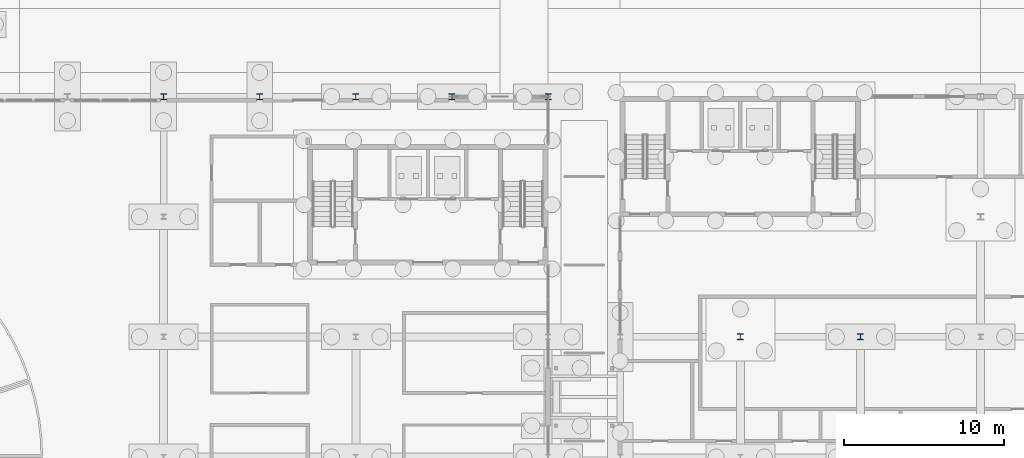
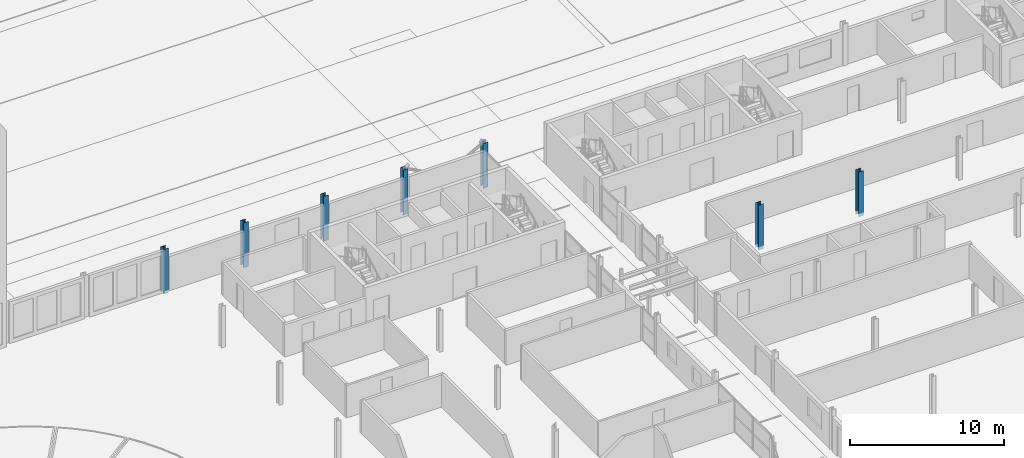
# One storey, part 20 of 130: 7 columns.
"""IFC4 building model written with IfcOpenShell, lengths in metres."""

import ifcopenshell
import ifcopenshell.guid

model = None  # the IFC model being written
_history = None  # IfcOwnerHistory: only IFC2X3 demands one
_inside = {}  # id of a spatial element -> (the spatial element, [elements in it])
_under = {}  # id of a project, library or spatial element -> (it, [spatial elements below it])
_declared = {}  # id of a project -> (the project, [libraries it declares])
_typed = {}  # id of a type object -> (the type object, [elements of that type])
_made_of = {}  # id of a material, layer set ... -> (it, [elements and type objects made of it])


def new_model(schema):
    """Start an empty IFC model of exactly this schema.

    Asked for "IFC4X3", IfcOpenShell would pick the latest addendum, in which some entities
    have other attributes; the version numbers below select the first issue.
    IFC2X3 requires an IfcOwnerHistory on every rooted entity: one is made here for all.
    """
    global model, _history
    if schema == "IFC4X3":
        model = ifcopenshell.file(schema_version=(4, 3, 0, 0))
    else:
        model = ifcopenshell.file(schema=schema)
    _inside.clear()
    _under.clear()
    _declared.clear()
    _typed.clear()
    _made_of.clear()
    _history = None
    if model.schema == "IFC2X3":
        org = make("IfcOrganization", Name="unknown")
        user = make(
            "IfcPersonAndOrganization",
            ThePerson=make("IfcPerson", FamilyName="unknown"),
            TheOrganization=org,
        )
        app = make(
            "IfcApplication",
            ApplicationDeveloper=org,
            Version="unknown",
            ApplicationFullName="unknown",
            ApplicationIdentifier="unknown",
        )
        _history = make(
            "IfcOwnerHistory",
            OwningUser=user,
            OwningApplication=app,
            ChangeAction="ADDED",
            CreationDate=0,
        )
    return model


def make(cls, **values):
    """One entity of the class cls with the attributes given. An attribute that is None is left unset."""
    return model.create_entity(
        cls, **{name: value for name, value in values.items() if value is not None}
    )


def rooted(cls, **values):
    """An entity with a GlobalId (a new one), such as an element, a storey or a relation."""
    return make(cls, GlobalId=ifcopenshell.guid.new(), OwnerHistory=_history, **values)


def si_unit(unit_type, name, prefix=None):
    """IfcSIUnit, for example si_unit("LENGTHUNIT", "METRE", prefix="MILLI")."""
    return make("IfcSIUnit", UnitType=unit_type, Prefix=prefix, Name=name)


def assignment(units):
    """IfcUnitAssignment: the units of a project."""
    return None if units is None else make("IfcUnitAssignment", Units=units)


def point(xyz):
    """IfcCartesianPoint."""
    return None if xyz is None else make("IfcCartesianPoint", Coordinates=xyz)


def direction(xyz):
    """IfcDirection."""
    return None if xyz is None else make("IfcDirection", DirectionRatios=xyz)


def frame(location, z_axis=None, x_axis=None):
    """IfcAxis2Placement3D, a coordinate frame: its origin and axes. An axis left out is left unset."""
    return make(
        "IfcAxis2Placement3D",
        Location=point(location),
        Axis=direction(z_axis),
        RefDirection=direction(x_axis),
    )


def frame_2d(location, x_axis=None):
    """IfcAxis2Placement2D, a coordinate frame in the plane: its origin and x axis."""
    return make(
        "IfcAxis2Placement2D", Location=point(location), RefDirection=direction(x_axis)
    )


def origin():
    """The frame at (0, 0, 0) with its axes left unset."""
    return frame((0.0, 0.0, 0.0))


def origin_2d():
    """The frame at (0, 0) in the plane with its x axis left unset."""
    return frame_2d((0.0, 0.0))


def place(relative_to, where):
    """IfcLocalPlacement: puts the frame where relative to a parent placement (None: the world)."""
    return make(
        "IfcLocalPlacement", PlacementRelTo=relative_to, RelativePlacement=where
    )


def context(
    kind, dimensions, precision=None, world=None, true_north=None, identifier=None
):
    """IfcGeometricRepresentationContext, for example the 3D "Model" context."""
    return make(
        "IfcGeometricRepresentationContext",
        ContextIdentifier=identifier,
        ContextType=kind,
        CoordinateSpaceDimension=dimensions,
        Precision=precision,
        WorldCoordinateSystem=world,
        TrueNorth=true_north,
    )


def subcontext(parent, identifier, kind, view, scale=None):
    """IfcGeometricRepresentationSubContext, for example "Body" below "Model"."""
    return make(
        "IfcGeometricRepresentationSubContext",
        ContextIdentifier=identifier,
        ContextType=kind,
        ParentContext=parent,
        TargetScale=scale,
        TargetView=view,
    )


def project(units=None, contexts=None):
    """IfcProject with its units and contexts."""
    return rooted(
        "IfcProject",
        Name="project",
        RepresentationContexts=contexts,
        UnitsInContext=assignment(units),
    )


def spatial(cls, under=None, at=None, **own):
    """A site, building, storey or space (cls), placed at a placement, below another one or the project."""
    s = rooted(cls, ObjectPlacement=at, **own)
    if under is not None:
        _under.setdefault(under.id(), (under, []))[1].append(s)
    return s


def profile(cls, at=None, kind="AREA", **sizes):
    """A parametric profile (cls). Its sizes go by their IFC names, for example OverallWidth=200.0."""
    return make(cls, ProfileType=kind, Position=at, **sizes)


def i_section(**sizes):
    """IfcIShapeProfileDef."""
    return profile("IfcIShapeProfileDef", **sizes)


def extrude(swept, where, along, depth):
    """IfcExtrudedAreaSolid: the profile swept, set in the frame where, extruded along a direction by depth."""
    return make(
        "IfcExtrudedAreaSolid",
        SweptArea=swept,
        Position=where,
        ExtrudedDirection=direction(along),
        Depth=depth,
    )


def shape(context_of_items, identifier, shape_type, items):
    """IfcShapeRepresentation: the items that make up one representation, for example the "Body"."""
    return make(
        "IfcShapeRepresentation",
        ContextOfItems=context_of_items,
        RepresentationIdentifier=identifier,
        RepresentationType=shape_type,
        Items=items,
    )


def material(Name=None, Category=None):
    """IfcMaterial."""
    return make("IfcMaterial", Name=Name, Category=Category)


def material_profile(
    of_material, cross_section, Name=None, Category=None, Priority=None
):
    """IfcMaterialProfile: a cross section and its material."""
    return make(
        "IfcMaterialProfile",
        Name=Name,
        Material=of_material,
        Profile=cross_section,
        Priority=Priority,
        Category=Category,
    )


def profile_set(profiles, Name=None, composite=None):
    """IfcMaterialProfileSet."""
    return make(
        "IfcMaterialProfileSet",
        Name=Name,
        MaterialProfiles=profiles,
        CompositeProfile=composite,
    )


def made_of(thing, what):
    """Note that an element or type object is made of a material, layer set ...; save() writes the relation."""
    if what is not None:
        _made_of.setdefault(what.id(), (what, []))[1].append(thing)
    return thing


def type_object(cls, material=None, **own):
    """A type object (cls), such as IfcWallType, which elements share."""
    return made_of(rooted(cls, **own), material)


def element(
    cls,
    number,
    at=None,
    inside=None,
    cuts=None,
    type_object=None,
    material=None,
    context=None,
    identifier="Body",
    shape_type=None,
    held_by="IfcProductDefinitionShape",
    body=None,
    shapes=None,
    **own,
):
    """One element of the class cls, such as IfcWall. Its Tag is "e" and its number.

    at: its placement. inside: the storey or other place that contains it. cuts: it is an
    opening in that element (IfcRelVoidsElement). A single representation is given by context,
    identifier, shape_type and body (its items); several are given by shapes. held_by: the class
    of the entity that holds the representations. save() writes the other relations.
    """
    e = rooted(cls, Tag="e%d" % number, ObjectPlacement=at, **own)
    if body is not None:
        shapes = [shape(context, identifier, shape_type, body)]
    if shapes is not None:
        e.Representation = make(held_by, Representations=shapes)
    if inside is not None:
        _inside.setdefault(inside.id(), (inside, []))[1].append(e)
    if cuts is not None:
        rooted(
            "IfcRelVoidsElement", RelatingBuildingElement=cuts, RelatedOpeningElement=e
        )
    if type_object is not None:
        _typed.setdefault(type_object.id(), (type_object, []))[1].append(e)
    return made_of(e, material)


def aggregate(whole, parts):
    """IfcRelAggregates: a whole, such as a stair, and the parts it consists of."""
    return rooted("IfcRelAggregates", RelatingObject=whole, RelatedObjects=parts)


def save(model, path):
    """Write the relations noted so far, then the file.

    IfcRelAggregates (storeys below a building ...), IfcRelContainedInSpatialStructure (elements
    in a storey), IfcRelDefinesByType, IfcRelAssociatesMaterial and IfcRelDeclares: one each for
    every whole, place, type object, material and project.
    """
    for whole, parts in _under.values():
        aggregate(whole, parts)
    for where, things in _inside.values():
        rooted(
            "IfcRelContainedInSpatialStructure",
            RelatedElements=things,
            RelatingStructure=where,
        )
    for kind, things in _typed.values():
        rooted("IfcRelDefinesByType", RelatedObjects=things, RelatingType=kind)
    for what, things in _made_of.values():
        rooted("IfcRelAssociatesMaterial", RelatedObjects=things, RelatingMaterial=what)
    for by, libraries in _declared.values():
        rooted("IfcRelDeclares", RelatingContext=by, RelatedDefinitions=libraries)
    model.write(path)


model = new_model("IFC4")

# Units and contexts
model_context = context("Model", 3, precision=1e-05, world=origin(), true_north=direction((0.0, 1.0)))
body_context = subcontext(model_context, "Body", "Model", "MODEL_VIEW")
ifc_project = project(units=[si_unit("LENGTHUNIT", "METRE"), si_unit("AREAUNIT", "SQUARE_METRE"), si_unit("VOLUMEUNIT", "CUBIC_METRE"), si_unit("PLANEANGLEUNIT", "RADIAN"), si_unit("MASSUNIT", "GRAM", prefix="KILO")], contexts=[model_context])

# Site, building, storey
site_placement = place(None, origin())
site = spatial("IfcSite", under=ifc_project, at=site_placement, CompositionType="ELEMENT")
building_placement = place(site_placement, origin())
building = spatial("IfcBuilding", under=site, at=building_placement, Name="Parallax Yard Mobility Hub", CompositionType="ELEMENT")
storey_placement = place(building_placement, origin())
storey = spatial("IfcBuildingStorey", under=building, at=storey_placement, Name="L00", CompositionType="ELEMENT", Elevation=0.0)

# Columns
ifc_material = material(Name="Steel ASTM A992", Category="steel")
ifc_material_profile_1 = material_profile(ifc_material, i_section(OverallWidth=0.373046875, OverallDepth=0.367919921875, WebThickness=0.014892578125, FlangeThickness=0.02392578125, FilletRadius=0.01513671875, at=origin_2d()), Name="W360x179")
ifc_profile_set_1 = profile_set([ifc_material_profile_1], Name="Steel ASTM A992")
column_type_1 = type_object("IfcColumnType", Name="W360x179 column", PredefinedType="COLUMN", material=ifc_profile_set_1)
for number, where, z_axis, x_axis, name in (
    (1, (69.0, 52.5, -0.25), (0.0, 0.0, 1.0), (1.0, 0.0, 0.0), "Column C7 level L00 at F11/H of bus and taxi deck"),
    (2, (75.0, 52.5, -0.25), (0.0, 0.0, 1.0), (1.0, 0.0, 0.0), "Column C7 level L00 at F12/H of bus and taxi deck"),
    (3, (81.0, 52.5, -0.25), (0.0, 0.0, 1.0), (1.0, 0.0, 0.0), "Column C7 level L00 at F13/H of bus and taxi deck"),
    (4, (87.0, 52.5, -0.25), (0.0, 0.0, 1.0), (1.0, 0.0, 0.0), "Column C7 level L00 at F14/H of bus and taxi deck"),
    (5, (93.0, 52.5, -0.25), (0.0, 0.0, 1.0), (1.0, 0.0, 0.0), "Column C7 level L00 at F15/H of bus and taxi deck"),
    (6, (112.5, 37.5, -0.25), (0.0, 0.0, 1.0), (1.0, 0.0, 0.0), "Column C7 level L00 at F/16 of mobility service centre and workshops"),
):
    element("IfcColumn", number, at=place(storey_placement, frame(where, z_axis=z_axis, x_axis=x_axis)), inside=storey, type_object=column_type_1, Name=name, PredefinedType="COLUMN", context=body_context, shape_type="SweptSolid", body=[
        extrude(i_section(OverallWidth=0.373046875, OverallDepth=0.367919921875, WebThickness=0.014892578125, FlangeThickness=0.02392578125, FilletRadius=0.01513671875, at=origin_2d()), origin(), (0.0, 0.0, 1.0), 3.550048828125),
    ])
ifc_material_profile_2 = material_profile(ifc_material, i_section(OverallWidth=0.39599609375, OverallDepth=0.381103515625, WebThickness=0.018798828125, FlangeThickness=0.0302734375, FilletRadius=0.015380859375, at=origin_2d()), Name="W360x237")
ifc_profile_set_2 = profile_set([ifc_material_profile_2], Name="Steel ASTM A992")
column_type_2 = type_object("IfcColumnType", Name="W360x237 column", PredefinedType="COLUMN", material=ifc_profile_set_2)
column_placement = place(storey_placement, frame((105.0, 37.5, -0.25), z_axis=(0.0, 0.0, 1.0), x_axis=(1.0, 0.0, 0.0)))
element("IfcColumn", 7, at=column_placement, inside=storey, type_object=column_type_2, Name="Column C10 level L00 at F/15 of mobility service centre and workshops", PredefinedType="COLUMN", context=body_context, shape_type="SweptSolid", body=[
    extrude(i_section(OverallWidth=0.39599609375, OverallDepth=0.381103515625, WebThickness=0.018798828125, FlangeThickness=0.0302734375, FilletRadius=0.015380859375, at=origin_2d()), origin(), (0.0, 0.0, 1.0), 3.550048828125),
])

save(model, "model.ifc")
